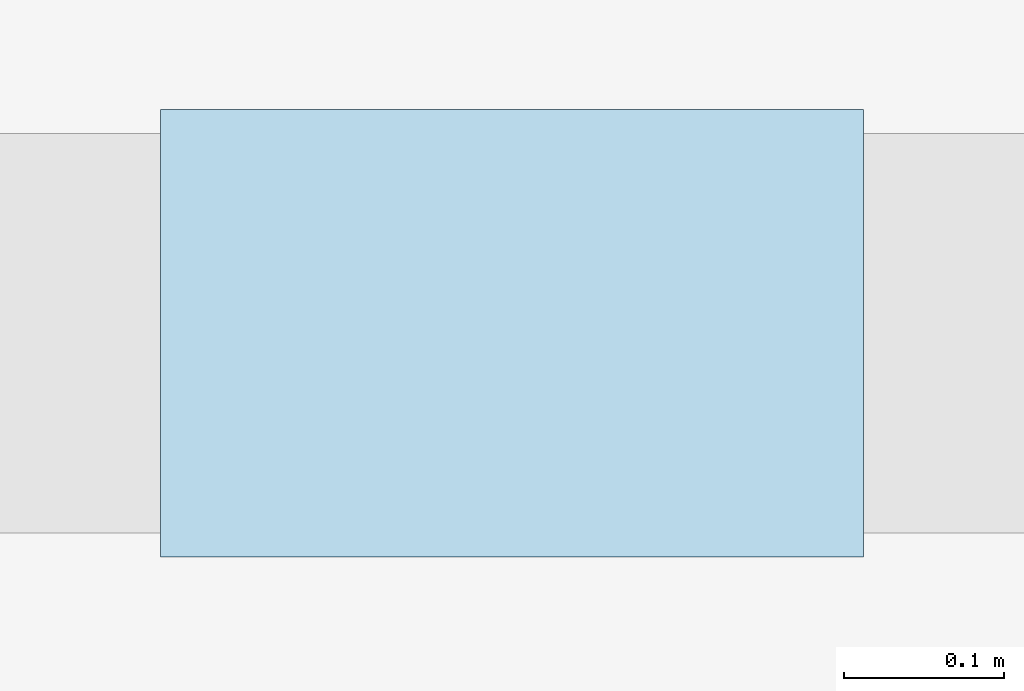
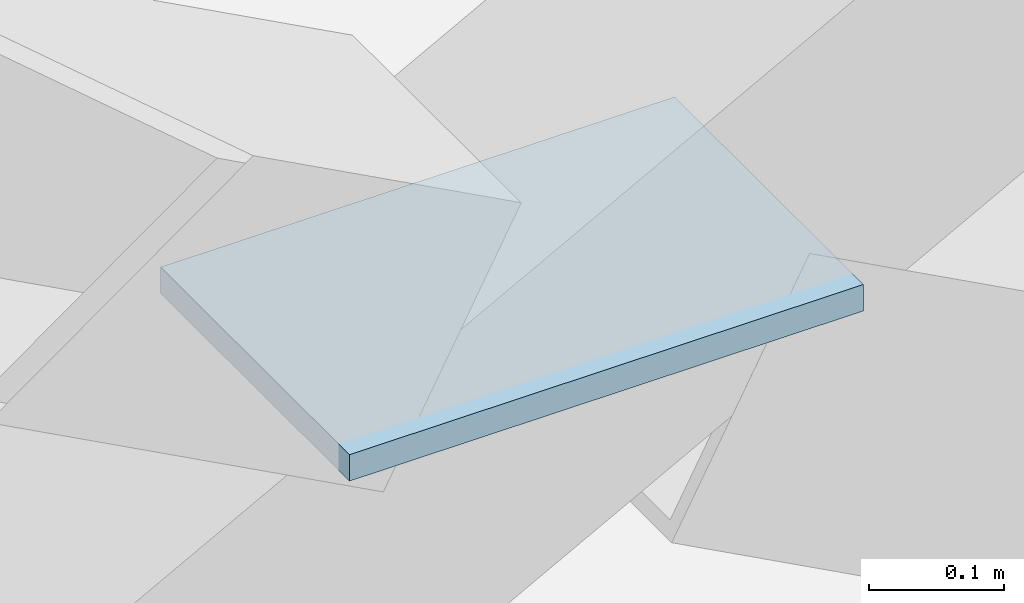
# One storey, part 26 of 48: 1 plate.
"""IFC4 building model written with IfcOpenShell, lengths in metres."""

from ifc_helpers import new_model, si_unit, direction, frame, origin, origin_2d, place, context, subcontext, project, spatial, rectangle, extrude, material, layer, layer_set, type_object, element, save


model = new_model("IFC4")

# Units and contexts
model_context = context("Model", 3, precision=1e-05, world=origin(), true_north=direction((0.0, 1.0)))
body_context = subcontext(model_context, "Body", "Model", "MODEL_VIEW")
ifc_project = project(units=[si_unit("LENGTHUNIT", "METRE"), si_unit("AREAUNIT", "SQUARE_METRE"), si_unit("VOLUMEUNIT", "CUBIC_METRE"), si_unit("PLANEANGLEUNIT", "RADIAN"), si_unit("MASSUNIT", "GRAM", prefix="KILO")], contexts=[model_context])

# Site, building, storey
site_placement = place(None, origin())
site = spatial("IfcSite", under=ifc_project, at=site_placement, CompositionType="ELEMENT")
building_placement = place(site_placement, origin())
building = spatial("IfcBuilding", under=site, at=building_placement, Name="Nabrawat Pavilion Hospital", CompositionType="ELEMENT")
storey_placement = place(building_placement, frame((0.0, 0.0, -5.10009765625)))
storey = spatial("IfcBuildingStorey", under=building, at=storey_placement, Name="B1", CompositionType="ELEMENT", Elevation=-5.10009765625)

# Plate
ifc_material = material(Name="Steel S355", Category="steel")
ifc_layer = layer(ifc_material, 0.02392578125, Name="Steel S355")
ifc_layer_set = layer_set([ifc_layer], Name="Steel S355")
plate_type = type_object("IfcPlateType", Name="X-Brace Crossing Gusset Plate 440x280x24", PredefinedType="USERDEFINED", material=ifc_layer_set)
plate_placement = place(storey_placement, frame((113.39990234375, 101.39990234375, 2.2880859375), z_axis=(0.0, 0.0, 1.0), x_axis=(1.0, 0.0, 0.0)))
element("IfcPlate", 1, at=plate_placement, inside=storey, type_object=plate_type, Name="B1 Split X-Brace Crossing Gusset Plate 05", ObjectType="GUSSET PLATE", PredefinedType="USERDEFINED", context=body_context, shape_type="SweptSolid", body=[
    extrude(rectangle(XDim=0.43994140625, YDim=0.280029296875, at=origin_2d()), origin(), (0.0, 0.0, 1.0), 0.02392578125),
])

save(model, "model.ifc")
